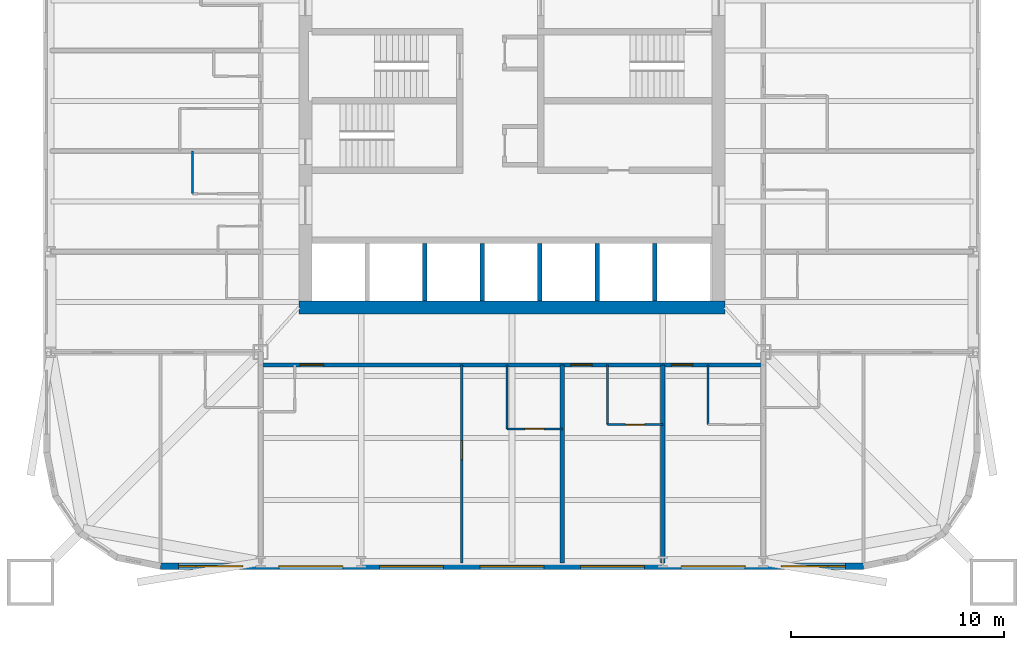
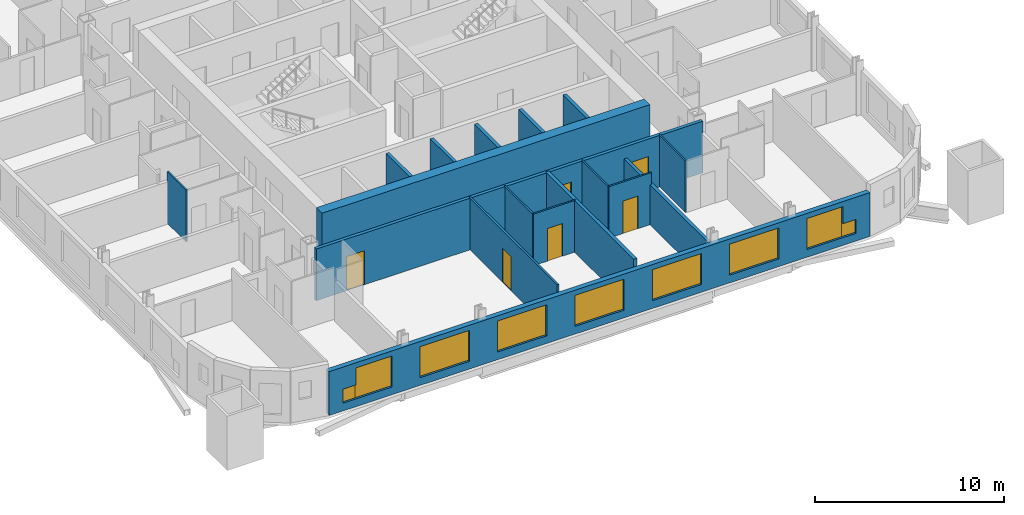
# One storey, part 3 of 10: 17 walls, 9 windows, 6 doors, 15 openings.
"""IFC4 building model written with IfcOpenShell, lengths in metres."""

from ifc_helpers import new_model, si_unit, direction, frame, frame_2d, origin, place, context, subcontext, project, spatial, rectangle, extrude, material, layer, layer_set, type_object, element, fill, save


model = new_model("IFC4")

# Units and contexts
model_context = context("Model", 3, precision=1e-05, world=origin(), true_north=direction((0.0, 1.0)))
body_context = subcontext(model_context, "Body", "Model", "MODEL_VIEW")
ifc_project = project(units=[si_unit("LENGTHUNIT", "METRE"), si_unit("AREAUNIT", "SQUARE_METRE"), si_unit("VOLUMEUNIT", "CUBIC_METRE"), si_unit("PLANEANGLEUNIT", "RADIAN"), si_unit("MASSUNIT", "GRAM", prefix="KILO")], contexts=[model_context])

# Site, building, storey
site_placement = place(None, origin())
site = spatial("IfcSite", under=ifc_project, at=site_placement, CompositionType="ELEMENT")
building_placement = place(site_placement, origin())
building = spatial("IfcBuilding", under=site, at=building_placement, Name="Turquesa Mirador Hotel Tower", CompositionType="ELEMENT")
storey_placement = place(building_placement, frame((0.0, 0.0, 32.0)))
storey = spatial("IfcBuildingStorey", under=building, at=storey_placement, Name="L07", CompositionType="ELEMENT", Elevation=32.0)

# Wall, opening, door
ifc_material_1 = material(Name="Gypsum board on steel studs", Category="steel")
ifc_layer_1 = layer(ifc_material_1, 0.10009765625)
ifc_layer_set_1 = layer_set([ifc_layer_1], Name="BATHROOM WALL 100")
wall_type_1 = type_object("IfcWallType", Name="BATHROOM WALL 100", PredefinedType="PARTITIONING", material=ifc_layer_set_1)
wall_1_placement = place(storey_placement, frame((59.47998046875, 29.800048828125, 0.0), z_axis=(0.0, 0.0, 1.0), x_axis=(1.0, 0.0, 0.0)))
wall_1 = element("IfcWall", 1, at=wall_1_placement, inside=storey, type_object=wall_type_1, Name="Partition L07 010", PredefinedType="PARTITIONING", context=body_context, shape_type="SweptSolid", body=[
    extrude(rectangle(XDim=2.60009765625, YDim=0.10009765625, at=frame_2d((1.300048828125, 0.0))), origin(), (0.0, 0.0, 1.0), 3.330078125),
])
opening_1_placement = place(wall_1_placement, frame((0.85009765625, 0.0, 0.0)))
opening_1 = element("IfcOpeningElement", 2, at=opening_1_placement, cuts=wall_1, Name="Opening D02", PredefinedType="OPENING", context=body_context, shape_type="SweptSolid", body=[
    extrude(rectangle(XDim=0.89990234375, YDim=2.10009765625, at=frame_2d((0.449951171875, 1.050048828125))), frame((0.0, 0.06005859375, 0.0), z_axis=(0.0, -1.0, 0.0), x_axis=(1.0, 0.0, 0.0)), (0.0, 0.0, 1.0), 0.1201171875),
])
ifc_material_2 = material(Name="Timber veneered door", Category="wood")
door_type_1 = type_object("IfcDoorType", Name="DOOR 900X2100 EN-SUITE", OperationType="SINGLE_SWING_RIGHT", PredefinedType="DOOR", material=ifc_material_2)
door_1_placement = place(opening_1_placement, origin())
door_1 = element("IfcDoor", 3, at=door_1_placement, inside=storey, type_object=door_type_1, Name="Door 0705B", OperationType="SINGLE_SWING_RIGHT", OverallHeight=2.10009765625, OverallWidth=0.89990234375, PredefinedType="DOOR", context=body_context, shape_type="SweptSolid", body=[
    extrude(rectangle(XDim=0.89990234375, YDim=2.10009765625, at=frame_2d((0.449951171875, 1.050048828125))), frame((0.0, 0.02490234375, 0.0), z_axis=(0.0, -1.0, 0.0), x_axis=(1.0, 0.0, 0.0)), (0.0, 0.0, 1.0), 0.050048828125),
])
fill(opening_1, door_1)

wall_2_placement = place(storey_placement, frame((54.760009765625, 29.60009765625, 0.0), z_axis=(0.0, 0.0, 1.0), x_axis=(1.0, 0.0, 0.0)))
wall_2 = element("IfcWall", 4, at=wall_2_placement, inside=storey, type_object=wall_type_1, Name="Partition L07 012", PredefinedType="PARTITIONING", context=body_context, shape_type="SweptSolid", body=[
    extrude(rectangle(XDim=2.60009765625, YDim=0.10009765625, at=frame_2d((1.300048828125, 0.0))), origin(), (0.0, 0.0, 1.0), 3.330078125),
])
opening_2_placement = place(wall_2_placement, frame((0.85009765625, 0.0, 0.0)))
opening_2 = element("IfcOpeningElement", 5, at=opening_2_placement, cuts=wall_2, Name="Opening D02", PredefinedType="OPENING", context=body_context, shape_type="SweptSolid", body=[
    extrude(rectangle(XDim=0.89990234375, YDim=2.10009765625, at=frame_2d((0.449951171875, 1.050048828125))), frame((0.0, 0.06005859375, 0.0), z_axis=(0.0, -1.0, 0.0), x_axis=(1.0, 0.0, 0.0)), (0.0, 0.0, 1.0), 0.1201171875),
])
door_2_placement = place(opening_2_placement, origin())
door_2 = element("IfcDoor", 6, at=door_2_placement, inside=storey, type_object=door_type_1, Name="Door 0704B", OperationType="SINGLE_SWING_RIGHT", OverallHeight=2.10009765625, OverallWidth=0.89990234375, PredefinedType="DOOR", context=body_context, shape_type="SweptSolid", body=[
    extrude(rectangle(XDim=0.89990234375, YDim=2.10009765625, at=frame_2d((0.449951171875, 1.050048828125))), frame((0.0, 0.02490234375, 0.0), z_axis=(0.0, -1.0, 0.0), x_axis=(1.0, 0.0, 0.0)), (0.0, 0.0, 1.0), 0.050048828125),
])
fill(opening_2, door_2)

# Walls
wall_3_placement = place(storey_placement, frame((54.760009765625, 29.60009765625, 0.0), z_axis=(0.0, 0.0, 1.0), x_axis=(0.0, 1.0, 0.0)))
element("IfcWall", 7, at=wall_3_placement, inside=storey, type_object=wall_type_1, Name="Partition L07 044", PredefinedType="PARTITIONING", context=body_context, shape_type="SweptSolid", body=[
    extrude(rectangle(XDim=3.0, YDim=0.10009765625, at=frame_2d((1.5, 0.0))), origin(), (0.0, 0.0, 1.0), 3.330078125),
])
wall_4_placement = place(storey_placement, frame((40.0, 40.639892578125, 0.0), z_axis=(0.0, 0.0, 1.0), x_axis=(0.0, 1.0, 0.0)))
element("IfcWall", 8, at=wall_4_placement, inside=storey, type_object=wall_type_1, Name="Partition L07 060", PredefinedType="PARTITIONING", context=body_context, shape_type="SweptSolid", body=[
    extrude(rectangle(XDim=2.0, YDim=0.10009765625, at=frame_2d((1.0, 0.0))), origin(), (0.0, 0.0, 1.0), 3.330078125),
])
for number, where, z_axis, x_axis, name in (
    (9, (59.47998046875, 29.800048828125, 0.0), (0.0, 0.0, 1.0), (0.0, 1.0, 0.0), "Partition L07 081"),
    (10, (64.199951171875, 29.800048828125, 0.0), (0.0, 0.0, 1.0), (0.0, 1.0, 0.0), "Partition L07 086"),
):
    element("IfcWall", number, at=place(storey_placement, frame(where, z_axis=z_axis, x_axis=x_axis)), inside=storey, type_object=wall_type_1, Name=name, PredefinedType="PARTITIONING", context=body_context, shape_type="SweptSolid", body=[
        extrude(rectangle(XDim=2.800048828125, YDim=0.10009765625, at=frame_2d((1.39990234375, 0.0))), origin(), (0.0, 0.0, 1.0), 3.330078125),
    ])
ifc_material_3 = material(Name="Concrete C50/60", Category="concrete")
ifc_layer_2 = layer(ifc_material_3, 0.60009765625)
ifc_layer_set_2 = layer_set([ifc_layer_2], Name="CORE WALL 600")
wall_type_2 = type_object("IfcWallType", Name="CORE WALL 600", PredefinedType="SHEAR", material=ifc_layer_set_2)
wall_5_placement = place(storey_placement, frame((45.0, 35.300048828125, 0.0), z_axis=(0.0, 0.0, 1.0), x_axis=(1.0, 0.0, 0.0)))
element("IfcWall", 11, at=wall_5_placement, inside=storey, type_object=wall_type_2, Name="Core wall S", PredefinedType="SHEAR", context=body_context, shape_type="SweptSolid", body=[
    extrude(rectangle(XDim=20.0, YDim=0.60009765625, at=frame_2d((10.0, 0.0))), origin(), (0.0, 0.0, 1.0), 3.5),
])

# Wall, openings, doors
ifc_material_4 = material(Name="Fire-rated gypsum board on steel studs", Category="steel")
ifc_layer_3 = layer(ifc_material_4, 0.199951171875)
ifc_layer_set_3 = layer_set([ifc_layer_3], Name="CORRIDOR WALL 200")
wall_type_3 = type_object("IfcWallType", Name="CORRIDOR WALL 200", PredefinedType="PARTITIONING", material=ifc_layer_set_3)
wall_6_placement = place(storey_placement, frame((43.199951171875, 32.60009765625, 0.0), z_axis=(0.0, 0.0, 1.0), x_axis=(1.0, 0.0, 0.0)))
wall_6 = element("IfcWall", 12, at=wall_6_placement, inside=storey, type_object=wall_type_3, Name="Partition L07 006", PredefinedType="PARTITIONING", context=body_context, shape_type="SweptSolid", body=[
    extrude(rectangle(XDim=23.60009765625, YDim=0.199951171875, at=frame_2d((11.800048828125, 0.0))), origin(), (0.0, 0.0, 1.0), 3.330078125),
])
opening_3_placement = place(wall_6_placement, frame((1.85009765625, 0.0, 0.0)))
opening_3 = element("IfcOpeningElement", 13, at=opening_3_placement, cuts=wall_6, Name="Opening D15", PredefinedType="OPENING", context=body_context, shape_type="SweptSolid", body=[
    extrude(rectangle(XDim=1.10009765625, YDim=2.199951171875, at=frame_2d((0.550048828125, 1.10009765625))), frame((0.0, 0.10986328125, 0.0), z_axis=(0.0, -1.0, 0.0), x_axis=(1.0, 0.0, 0.0)), (0.0, 0.0, 1.0), 0.219970703125),
])
opening_4_placement = place(wall_6_placement, frame((14.56005859375, 0.0, 0.0)))
opening_4 = element("IfcOpeningElement", 14, at=opening_4_placement, cuts=wall_6, Name="Opening D01", PredefinedType="OPENING", context=body_context, shape_type="SweptSolid", body=[
    extrude(rectangle(XDim=1.0, YDim=2.199951171875, at=frame_2d((0.5, 1.10009765625))), frame((0.0, 0.10986328125, 0.0), z_axis=(0.0, -1.0, 0.0), x_axis=(1.0, 0.0, 0.0)), (0.0, 0.0, 1.0), 0.219970703125),
])
opening_5_placement = place(wall_6_placement, frame((19.280029296875, 0.0, 0.0)))
opening_5 = element("IfcOpeningElement", 15, at=opening_5_placement, cuts=wall_6, Name="Opening D01", PredefinedType="OPENING", context=body_context, shape_type="SweptSolid", body=[
    extrude(rectangle(XDim=1.0, YDim=2.199951171875, at=frame_2d((0.5, 1.10009765625))), frame((0.0, 0.10986328125, 0.0), z_axis=(0.0, -1.0, 0.0), x_axis=(1.0, 0.0, 0.0)), (0.0, 0.0, 1.0), 0.219970703125),
])
ifc_material_5 = material(Name="Timber veneered fire door", Category="wood")
door_type_2 = type_object("IfcDoorType", Name="DOOR 1000X2200 GUEST ENTRY", OperationType="SINGLE_SWING_LEFT", PredefinedType="DOOR", material=ifc_material_5)
door_3_placement = place(opening_4_placement, origin())
door_3 = element("IfcDoor", 16, at=door_3_placement, inside=storey, type_object=door_type_2, Name="Door 0705", OperationType="SINGLE_SWING_LEFT", OverallHeight=2.199951171875, OverallWidth=1.0, PredefinedType="DOOR", context=body_context, shape_type="SweptSolid", body=[
    extrude(rectangle(XDim=1.0, YDim=2.199951171875, at=frame_2d((0.5, 1.10009765625))), frame((0.0, 0.02490234375, 0.0), z_axis=(0.0, -1.0, 0.0), x_axis=(1.0, 0.0, 0.0)), (0.0, 0.0, 1.0), 0.050048828125),
])
fill(opening_4, door_3)
door_4_placement = place(opening_5_placement, origin())
door_4 = element("IfcDoor", 17, at=door_4_placement, inside=storey, type_object=door_type_2, Name="Door 0706", OperationType="SINGLE_SWING_LEFT", OverallHeight=2.199951171875, OverallWidth=1.0, PredefinedType="DOOR", context=body_context, shape_type="SweptSolid", body=[
    extrude(rectangle(XDim=1.0, YDim=2.199951171875, at=frame_2d((0.5, 1.10009765625))), frame((0.0, 0.02490234375, 0.0), z_axis=(0.0, -1.0, 0.0), x_axis=(1.0, 0.0, 0.0)), (0.0, 0.0, 1.0), 0.050048828125),
])
fill(opening_5, door_4)
ifc_material_6 = material(Name="Timber veneered fire door", Category="wood")
door_type_3 = type_object("IfcDoorType", Name="DOOR 1100X2200 SUITE ENTRY", OperationType="SINGLE_SWING_LEFT", PredefinedType="DOOR", material=ifc_material_6)
door_5_placement = place(opening_3_placement, origin())
door_5 = element("IfcDoor", 18, at=door_5_placement, inside=storey, type_object=door_type_3, Name="Door 0704", OperationType="SINGLE_SWING_LEFT", OverallHeight=2.199951171875, OverallWidth=1.10009765625, PredefinedType="DOOR", context=body_context, shape_type="SweptSolid", body=[
    extrude(rectangle(XDim=1.10009765625, YDim=2.199951171875, at=frame_2d((0.550048828125, 1.10009765625))), frame((0.0, 0.02490234375, 0.0), z_axis=(0.0, -1.0, 0.0), x_axis=(1.0, 0.0, 0.0)), (0.0, 0.0, 1.0), 0.050048828125),
])
fill(opening_3, door_5)

# Wall, openings, windows
ifc_material_7 = material(Name="Limestone cladding on concrete block", Category="masonry")
ifc_layer_4 = layer(ifc_material_7, 0.300048828125)
ifc_layer_set_4 = layer_set([ifc_layer_4], Name="FACADE WALL 300 STONE SCREEN")
wall_type_4 = type_object("IfcWallType", Name="FACADE WALL 300 STONE SCREEN", PredefinedType="SOLIDWALL", material=ifc_layer_set_4)
wall_7_placement = place(storey_placement, frame((38.5, 23.14990234375, 0.0), z_axis=(0.0, 0.0, 1.0), x_axis=(1.0, 0.0, 0.0)))
wall_7 = element("IfcWall", 19, at=wall_7_placement, inside=storey, type_object=wall_type_4, Name="Facade wall L07 19", PredefinedType="SOLIDWALL", context=body_context, shape_type="SweptSolid", body=[
    extrude(rectangle(XDim=33.0, YDim=0.300048828125, at=frame_2d((16.5, 0.0))), origin(), (0.0, 0.0, 1.0), 2.830078125),
])
opening_6_placement = place(wall_7_placement, frame((1.64990234375, 0.0, 0.5)))
opening_6 = element("IfcOpeningElement", 20, at=opening_6_placement, cuts=wall_7, Name="Opening WN50", PredefinedType="OPENING", context=body_context, shape_type="SweptSolid", body=[
    extrude(rectangle(XDim=2.199951171875, YDim=2.0, at=frame_2d((1.10009765625, 1.0))), frame((0.0, 0.159912109375, 0.0), z_axis=(0.0, -1.0, 0.0), x_axis=(1.0, 0.0, 0.0)), (0.0, 0.0, 1.0), 0.320068359375),
])
opening_7_placement = place(wall_7_placement, frame((5.56005859375, 0.0, 0.5)))
opening_7 = element("IfcOpeningElement", 21, at=opening_7_placement, cuts=wall_7, Name="Opening WN1", PredefinedType="OPENING", context=body_context, shape_type="SweptSolid", body=[
    extrude(rectangle(XDim=3.0, YDim=2.0, at=frame_2d((1.5, 1.0))), frame((0.0, 0.159912109375, 0.0), z_axis=(0.0, -1.0, 0.0), x_axis=(1.0, 0.0, 0.0)), (0.0, 0.0, 1.0), 0.320068359375),
])
opening_8_placement = place(wall_7_placement, frame((10.280029296875, 0.0, 0.5)))
opening_8 = element("IfcOpeningElement", 22, at=opening_8_placement, cuts=wall_7, Name="Opening WN1", PredefinedType="OPENING", context=body_context, shape_type="SweptSolid", body=[
    extrude(rectangle(XDim=3.0, YDim=2.0, at=frame_2d((1.5, 1.0))), frame((0.0, 0.159912109375, 0.0), z_axis=(0.0, -1.0, 0.0), x_axis=(1.0, 0.0, 0.0)), (0.0, 0.0, 1.0), 0.320068359375),
])
opening_9_placement = place(wall_7_placement, frame((15.0, 0.0, 0.5)))
opening_9 = element("IfcOpeningElement", 23, at=opening_9_placement, cuts=wall_7, Name="Opening WN1", PredefinedType="OPENING", context=body_context, shape_type="SweptSolid", body=[
    extrude(rectangle(XDim=3.0, YDim=2.0, at=frame_2d((1.5, 1.0))), frame((0.0, 0.159912109375, 0.0), z_axis=(0.0, -1.0, 0.0), x_axis=(1.0, 0.0, 0.0)), (0.0, 0.0, 1.0), 0.320068359375),
])
opening_10_placement = place(wall_7_placement, frame((19.719970703125, 0.0, 0.5)))
opening_10 = element("IfcOpeningElement", 24, at=opening_10_placement, cuts=wall_7, Name="Opening WN1", PredefinedType="OPENING", context=body_context, shape_type="SweptSolid", body=[
    extrude(rectangle(XDim=3.0, YDim=2.0, at=frame_2d((1.5, 1.0))), frame((0.0, 0.159912109375, 0.0), z_axis=(0.0, -1.0, 0.0), x_axis=(1.0, 0.0, 0.0)), (0.0, 0.0, 1.0), 0.320068359375),
])
opening_11_placement = place(wall_7_placement, frame((24.43994140625, 0.0, 0.5)))
opening_11 = element("IfcOpeningElement", 25, at=opening_11_placement, cuts=wall_7, Name="Opening WN1", PredefinedType="OPENING", context=body_context, shape_type="SweptSolid", body=[
    extrude(rectangle(XDim=3.0, YDim=2.0, at=frame_2d((1.5, 1.0))), frame((0.0, 0.159912109375, 0.0), z_axis=(0.0, -1.0, 0.0), x_axis=(1.0, 0.0, 0.0)), (0.0, 0.0, 1.0), 0.320068359375),
])
opening_12_placement = place(wall_7_placement, frame((29.14990234375, 0.0, 0.5)))
opening_12 = element("IfcOpeningElement", 26, at=opening_12_placement, cuts=wall_7, Name="Opening WN50", PredefinedType="OPENING", context=body_context, shape_type="SweptSolid", body=[
    extrude(rectangle(XDim=2.199951171875, YDim=2.0, at=frame_2d((1.10009765625, 1.0))), frame((0.0, 0.159912109375, 0.0), z_axis=(0.0, -1.0, 0.0), x_axis=(1.0, 0.0, 0.0)), (0.0, 0.0, 1.0), 0.320068359375),
])
opening_13_placement = place(wall_7_placement, frame((0.85009765625, 0.0, 0.5)))
opening_13 = element("IfcOpeningElement", 27, at=opening_13_placement, cuts=wall_7, Name="Opening WN35", PredefinedType="OPENING", context=body_context, shape_type="SweptSolid", body=[
    extrude(rectangle(XDim=0.800048828125, YDim=0.89990234375, at=frame_2d((0.39990234375, 0.449951171875))), frame((0.0, 0.159912109375, 0.0), z_axis=(0.0, -1.0, 0.0), x_axis=(1.0, 0.0, 0.0)), (0.0, 0.0, 1.0), 0.320068359375),
])
opening_14_placement = place(wall_7_placement, frame((31.35009765625, 0.0, 0.5)))
opening_14 = element("IfcOpeningElement", 28, at=opening_14_placement, cuts=wall_7, Name="Opening WN35", PredefinedType="OPENING", context=body_context, shape_type="SweptSolid", body=[
    extrude(rectangle(XDim=0.800048828125, YDim=0.89990234375, at=frame_2d((0.39990234375, 0.449951171875))), frame((0.0, 0.159912109375, 0.0), z_axis=(0.0, -1.0, 0.0), x_axis=(1.0, 0.0, 0.0)), (0.0, 0.0, 1.0), 0.320068359375),
])
ifc_material_8 = material(Name="Ceramic-fritted laminated glass", Category="glass")
window_type_1 = type_object("IfcWindowType", Name="FRITTED WINDOW 2200X2000", PartitioningType="DOUBLE_PANEL_HORIZONTAL", PredefinedType="WINDOW", material=ifc_material_8)
window_1_placement = place(opening_6_placement, origin())
window_1 = element("IfcWindow", 29, at=window_1_placement, inside=storey, type_object=window_type_1, Name="Window L07", OverallHeight=2.0, OverallWidth=2.199951171875, PartitioningType="SINGLE_PANEL", PredefinedType="WINDOW", context=body_context, shape_type="SweptSolid", body=[
    extrude(rectangle(XDim=2.199951171875, YDim=2.0, at=frame_2d((1.10009765625, 1.0))), frame((0.0, 0.030029296875, 0.0), z_axis=(0.0, -1.0, 0.0), x_axis=(1.0, 0.0, 0.0)), (0.0, 0.0, 1.0), 0.06005859375),
])
fill(opening_6, window_1)
window_2_placement = place(opening_12_placement, origin())
window_2 = element("IfcWindow", 30, at=window_2_placement, inside=storey, type_object=window_type_1, Name="Window L07", OverallHeight=2.0, OverallWidth=2.199951171875, PartitioningType="SINGLE_PANEL", PredefinedType="WINDOW", context=body_context, shape_type="SweptSolid", body=[
    extrude(rectangle(XDim=2.199951171875, YDim=2.0, at=frame_2d((1.10009765625, 1.0))), frame((0.0, 0.030029296875, 0.0), z_axis=(0.0, -1.0, 0.0), x_axis=(1.0, 0.0, 0.0)), (0.0, 0.0, 1.0), 0.06005859375),
])
fill(opening_12, window_2)
ifc_material_9 = material(Name="Ceramic-fritted laminated glass", Category="glass")
window_type_2 = type_object("IfcWindowType", Name="FRITTED WINDOW 3000X2000", PartitioningType="DOUBLE_PANEL_HORIZONTAL", PredefinedType="WINDOW", material=ifc_material_9)
window_3_placement = place(opening_7_placement, origin())
window_3 = element("IfcWindow", 31, at=window_3_placement, inside=storey, type_object=window_type_2, Name="Window L07", OverallHeight=2.0, OverallWidth=3.0, PartitioningType="SINGLE_PANEL", PredefinedType="WINDOW", context=body_context, shape_type="SweptSolid", body=[
    extrude(rectangle(XDim=3.0, YDim=2.0, at=frame_2d((1.5, 1.0))), frame((0.0, 0.030029296875, 0.0), z_axis=(0.0, -1.0, 0.0), x_axis=(1.0, 0.0, 0.0)), (0.0, 0.0, 1.0), 0.06005859375),
])
fill(opening_7, window_3)
window_4_placement = place(opening_8_placement, origin())
window_4 = element("IfcWindow", 32, at=window_4_placement, inside=storey, type_object=window_type_2, Name="Window L07", OverallHeight=2.0, OverallWidth=3.0, PartitioningType="SINGLE_PANEL", PredefinedType="WINDOW", context=body_context, shape_type="SweptSolid", body=[
    extrude(rectangle(XDim=3.0, YDim=2.0, at=frame_2d((1.5, 1.0))), frame((0.0, 0.030029296875, 0.0), z_axis=(0.0, -1.0, 0.0), x_axis=(1.0, 0.0, 0.0)), (0.0, 0.0, 1.0), 0.06005859375),
])
fill(opening_8, window_4)
window_5_placement = place(opening_9_placement, origin())
window_5 = element("IfcWindow", 33, at=window_5_placement, inside=storey, type_object=window_type_2, Name="Window L07", OverallHeight=2.0, OverallWidth=3.0, PartitioningType="SINGLE_PANEL", PredefinedType="WINDOW", context=body_context, shape_type="SweptSolid", body=[
    extrude(rectangle(XDim=3.0, YDim=2.0, at=frame_2d((1.5, 1.0))), frame((0.0, 0.030029296875, 0.0), z_axis=(0.0, -1.0, 0.0), x_axis=(1.0, 0.0, 0.0)), (0.0, 0.0, 1.0), 0.06005859375),
])
fill(opening_9, window_5)
window_6_placement = place(opening_10_placement, origin())
window_6 = element("IfcWindow", 34, at=window_6_placement, inside=storey, type_object=window_type_2, Name="Window L07", OverallHeight=2.0, OverallWidth=3.0, PartitioningType="SINGLE_PANEL", PredefinedType="WINDOW", context=body_context, shape_type="SweptSolid", body=[
    extrude(rectangle(XDim=3.0, YDim=2.0, at=frame_2d((1.5, 1.0))), frame((0.0, 0.030029296875, 0.0), z_axis=(0.0, -1.0, 0.0), x_axis=(1.0, 0.0, 0.0)), (0.0, 0.0, 1.0), 0.06005859375),
])
fill(opening_10, window_6)
window_7_placement = place(opening_11_placement, origin())
window_7 = element("IfcWindow", 35, at=window_7_placement, inside=storey, type_object=window_type_2, Name="Window L07", OverallHeight=2.0, OverallWidth=3.0, PartitioningType="SINGLE_PANEL", PredefinedType="WINDOW", context=body_context, shape_type="SweptSolid", body=[
    extrude(rectangle(XDim=3.0, YDim=2.0, at=frame_2d((1.5, 1.0))), frame((0.0, 0.030029296875, 0.0), z_axis=(0.0, -1.0, 0.0), x_axis=(1.0, 0.0, 0.0)), (0.0, 0.0, 1.0), 0.06005859375),
])
fill(opening_11, window_7)
ifc_material_10 = material(Name="Ceramic-fritted laminated glass", Category="glass")
window_type_3 = type_object("IfcWindowType", Name="FRITTED WINDOW 800X900", PartitioningType="DOUBLE_PANEL_HORIZONTAL", PredefinedType="WINDOW", material=ifc_material_10)
window_8_placement = place(opening_13_placement, origin())
window_8 = element("IfcWindow", 36, at=window_8_placement, inside=storey, type_object=window_type_3, Name="Window L07", OverallHeight=0.89990234375, OverallWidth=0.800048828125, PartitioningType="SINGLE_PANEL", PredefinedType="WINDOW", context=body_context, shape_type="SweptSolid", body=[
    extrude(rectangle(XDim=0.800048828125, YDim=0.89990234375, at=frame_2d((0.39990234375, 0.449951171875))), frame((0.0, 0.030029296875, 0.0), z_axis=(0.0, -1.0, 0.0), x_axis=(1.0, 0.0, 0.0)), (0.0, 0.0, 1.0), 0.06005859375),
])
fill(opening_13, window_8)
window_9_placement = place(opening_14_placement, origin())
window_9 = element("IfcWindow", 37, at=window_9_placement, inside=storey, type_object=window_type_3, Name="Window L07", OverallHeight=0.89990234375, OverallWidth=0.800048828125, PartitioningType="SINGLE_PANEL", PredefinedType="WINDOW", context=body_context, shape_type="SweptSolid", body=[
    extrude(rectangle(XDim=0.800048828125, YDim=0.89990234375, at=frame_2d((0.39990234375, 0.449951171875))), frame((0.0, 0.030029296875, 0.0), z_axis=(0.0, -1.0, 0.0), x_axis=(1.0, 0.0, 0.0)), (0.0, 0.0, 1.0), 0.06005859375),
])
fill(opening_14, window_9)

# Walls
ifc_material_11 = material(Name="Fire-rated gypsum shaft wall on steel studs", Category="steel")
ifc_layer_5 = layer(ifc_material_11, 0.199951171875)
ifc_layer_set_5 = layer_set([ifc_layer_5], Name="LIFT SHAFT DIVIDER 200")
wall_type_5 = type_object("IfcWallType", Name="LIFT SHAFT DIVIDER 200", PredefinedType="PARTITIONING", material=ifc_layer_set_5)
for number, where, z_axis, x_axis, name in (
    (38, (50.89990234375, 35.60009765625, 0.0), (0.0, 0.0, 1.0), (0.0, 1.0, 0.0), "Lift shaft divider"),
    (39, (53.60009765625, 35.60009765625, 0.0), (0.0, 0.0, 1.0), (0.0, 1.0, 0.0), "Lift shaft divider"),
    (40, (56.300048828125, 35.60009765625, 0.0), (0.0, 0.0, 1.0), (0.0, 1.0, 0.0), "Lift shaft divider"),
    (41, (59.0, 35.60009765625, 0.0), (0.0, 0.0, 1.0), (0.0, 1.0, 0.0), "Lift shaft divider"),
    (42, (61.699951171875, 35.60009765625, 0.0), (0.0, 0.0, 1.0), (0.0, 1.0, 0.0), "Lift shaft divider"),
):
    element("IfcWall", number, at=place(storey_placement, frame(where, z_axis=z_axis, x_axis=x_axis)), inside=storey, type_object=wall_type_5, Name=name, PredefinedType="PARTITIONING", context=body_context, shape_type="SweptSolid", body=[
        extrude(rectangle(XDim=2.699951171875, YDim=0.199951171875, at=frame_2d((1.35009765625, 0.0))), origin(), (0.0, 0.0, 1.0), 3.330078125),
    ])
ifc_material_12 = material(Name="Fire-rated gypsum board on steel studs", Category="steel")
ifc_layer_6 = layer(ifc_material_12, 0.199951171875)
ifc_layer_set_6 = layer_set([ifc_layer_6], Name="PARTY WALL 200")
wall_type_6 = type_object("IfcWallType", Name="PARTY WALL 200", PredefinedType="PARTITIONING", material=ifc_layer_set_6)
wall_8_placement = place(storey_placement, frame((57.360107421875, 23.300048828125, 0.0), z_axis=(0.0, 0.0, 1.0), x_axis=(0.0, 1.0, 0.0)))
element("IfcWall", 43, at=wall_8_placement, inside=storey, type_object=wall_type_6, Name="Partition L07 078", PredefinedType="PARTITIONING", context=body_context, shape_type="SweptSolid", body=[
    extrude(rectangle(XDim=9.300048828125, YDim=0.199951171875, at=frame_2d((4.64990234375, 0.0))), origin(), (0.0, 0.0, 1.0), 3.330078125),
])
wall_9_placement = place(storey_placement, frame((62.080078125, 23.300048828125, 0.0), z_axis=(0.0, 0.0, 1.0), x_axis=(0.0, 1.0, 0.0)))
element("IfcWall", 44, at=wall_9_placement, inside=storey, type_object=wall_type_6, Name="Partition L07 083", PredefinedType="PARTITIONING", context=body_context, shape_type="SweptSolid", body=[
    extrude(rectangle(XDim=9.300048828125, YDim=0.199951171875, at=frame_2d((4.64990234375, 0.0))), origin(), (0.0, 0.0, 1.0), 2.572998046875),
])

# Wall, opening, door
ifc_material_13 = material(Name="Acoustic gypsum board on steel studs", Category="steel")
ifc_layer_7 = layer(ifc_material_13, 0.125)
ifc_layer_set_7 = layer_set([ifc_layer_7], Name="SUITE PARTITION 125")
wall_type_7 = type_object("IfcWallType", Name="SUITE PARTITION 125", PredefinedType="PARTITIONING", material=ifc_layer_set_7)
wall_10_placement = place(storey_placement, frame((52.639892578125, 23.300048828125, 0.0), z_axis=(0.0, 0.0, 1.0), x_axis=(0.0, 1.0, 0.0)))
wall_10 = element("IfcWall", 45, at=wall_10_placement, inside=storey, type_object=wall_type_7, Name="Partition L07 064", PredefinedType="PARTITIONING", context=body_context, shape_type="SweptSolid", body=[
    extrude(rectangle(XDim=9.300048828125, YDim=0.125, at=frame_2d((4.64990234375, 0.0))), origin(), (0.0, 0.0, 1.0), 3.330078125),
])
opening_15_placement = place(wall_10_placement, frame((4.85009765625, 0.0, 0.0)))
opening_15 = element("IfcOpeningElement", 46, at=opening_15_placement, cuts=wall_10, Name="Opening D17", PredefinedType="OPENING", context=body_context, shape_type="SweptSolid", body=[
    extrude(rectangle(XDim=0.89990234375, YDim=2.199951171875, at=frame_2d((0.449951171875, 1.10009765625))), frame((0.0, 0.072509765625, 0.0), z_axis=(0.0, -1.0, 0.0), x_axis=(1.0, 0.0, 0.0)), (0.0, 0.0, 1.0), 0.14501953125),
])
ifc_material_14 = material(Name="Timber veneered door", Category="wood")
door_type_4 = type_object("IfcDoorType", Name="DOOR 900X2200 SUITE INTERNAL", OperationType="SINGLE_SWING_LEFT", PredefinedType="DOOR", material=ifc_material_14)
door_6_placement = place(opening_15_placement, origin())
door_6 = element("IfcDoor", 47, at=door_6_placement, inside=storey, type_object=door_type_4, Name="Door 0704R", OperationType="SINGLE_SWING_LEFT", OverallHeight=2.199951171875, OverallWidth=0.89990234375, PredefinedType="DOOR", context=body_context, shape_type="SweptSolid", body=[
    extrude(rectangle(XDim=0.89990234375, YDim=2.199951171875, at=frame_2d((0.449951171875, 1.10009765625))), frame((0.0, 0.02490234375, 0.0), z_axis=(0.0, -1.0, 0.0), x_axis=(1.0, 0.0, 0.0)), (0.0, 0.0, 1.0), 0.050048828125),
])
fill(opening_15, door_6)

save(model, "model.ifc")
